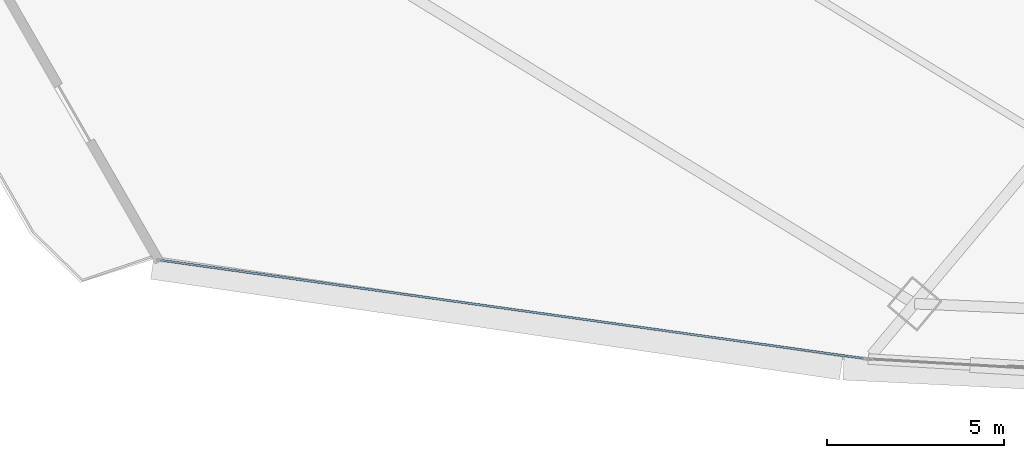
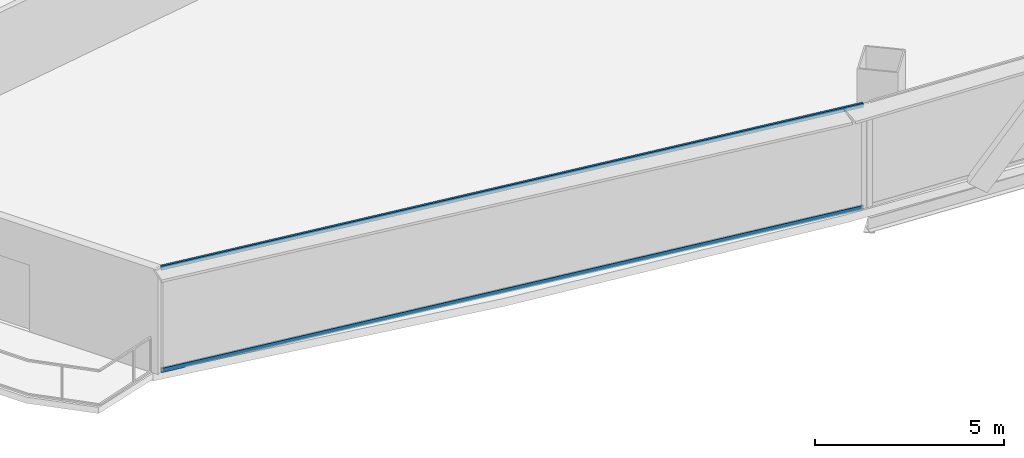
# One storey, part 3 of 38: 2 members, 1 element without a shape of its own.
"""IFC4 building model written with IfcOpenShell, lengths in metres."""

from ifc_helpers import new_model, si_unit, direction, frame, origin, origin_2d, place, context, subcontext, project, spatial, hollow_rectangle, extrude, source, transform, mapped, material, layer, layer_set, material_profile, profile_set, type_object, element, aggregate, save


model = new_model("IFC4")

# Units and contexts
model_context = context("Model", 3, precision=1e-05, world=origin(), true_north=direction((0.0, 1.0)))
body_context = subcontext(model_context, "Body", "Model", "MODEL_VIEW")
ifc_project = project(units=[si_unit("LENGTHUNIT", "METRE"), si_unit("AREAUNIT", "SQUARE_METRE"), si_unit("VOLUMEUNIT", "CUBIC_METRE"), si_unit("PLANEANGLEUNIT", "RADIAN"), si_unit("MASSUNIT", "GRAM", prefix="KILO"), si_unit("THERMODYNAMICTEMPERATUREUNIT", "KELVIN"), si_unit("POWERUNIT", "WATT")], contexts=[model_context])

# Site, building, storey
site_placement = place(None, origin())
site = spatial("IfcSite", under=ifc_project, at=site_placement, CompositionType="ELEMENT")
building_placement = place(site_placement, origin())
building = spatial("IfcBuilding", under=site, at=building_placement, Name="Yunzhuo Pagoda Commons", CompositionType="ELEMENT")
storey_placement = place(building_placement, frame((0.0, 0.0, 37.659912109375)))
storey = spatial("IfcBuildingStorey", under=building, at=storey_placement, Name="L09", CompositionType="ELEMENT", Elevation=37.659912109375)

# Curtain wall, members
ifc_material = material(Name="Anodized aluminium 6063-T6", Category="aluminium")
ifc_layer = layer(ifc_material, 0.1650390625)
ifc_layer_set = layer_set([ifc_layer], Name="Anodized aluminium 6063-T6")
curtain_wall_type = type_object("IfcCurtainWallType", Name="CW-LOW Low-Zone Ribbon Curtain Wall", PredefinedType="NOTDEFINED", material=ifc_layer_set)
curtain_wall_placement = place(storey_placement, origin())
curtain_wall = element("IfcCurtainWall", 1, at=curtain_wall_placement, inside=storey, type_object=curtain_wall_type, Name="L09 curtain wall CW-L09-F1B1", PredefinedType="NOTDEFINED")
ifc_material_profile = material_profile(ifc_material, hollow_rectangle(XDim=0.06005859375, YDim=0.139892578125, WallThickness=0.00341796875, at=origin_2d()), Name="Anodized aluminium 6063-T6")
ifc_profile_set = profile_set([ifc_material_profile], Name="Anodized aluminium 6063-T6")
member_type = type_object("IfcMemberType", Name="CW-LOW-T Transom RHS 140x60x3.5", PredefinedType="USERDEFINED", material=ifc_profile_set)
shared_shape = source(origin(), body_context, "Body", "SweptSolid", [
    extrude(hollow_rectangle(XDim=0.06005859375, YDim=0.139892578125, WallThickness=0.00341796875, at=origin_2d()), origin(), (0.0, 0.0, 1.0), 20.06201171875),
])
member_1_placement = place(storey_placement, frame((9.17919921875, 14.0732421875, 0.030029296875), z_axis=(0.990391410745, -0.138292637271, 0.0), x_axis=(0.138292637271, 0.990391410745, 0.0)))
member_1 = element("IfcMember", 2, at=member_1_placement, type_object=member_type, Name="CW transom 1.1", ObjectType="TRANSOM", PredefinedType="USERDEFINED", context=body_context, shape_type="MappedRepresentation", body=[
    mapped(shared_shape, transform((0.0, 0.0, 0.0), scale=1.0)),
])
member_2_placement = place(storey_placement, frame((9.17919921875, 14.0732421875, 3.340087890625), z_axis=(0.990391410745, -0.138292637271, 0.0), x_axis=(0.138292637271, 0.990391410745, 0.0)))
member_2 = element("IfcMember", 3, at=member_2_placement, type_object=member_type, Name="CW transom 1.2", ObjectType="TRANSOM", PredefinedType="USERDEFINED", context=body_context, shape_type="MappedRepresentation", body=[
    mapped(shared_shape, transform((0.0, 0.0, 0.0), scale=1.0)),
])
aggregate(curtain_wall, [member_1, member_2])

save(model, "model.ifc")
